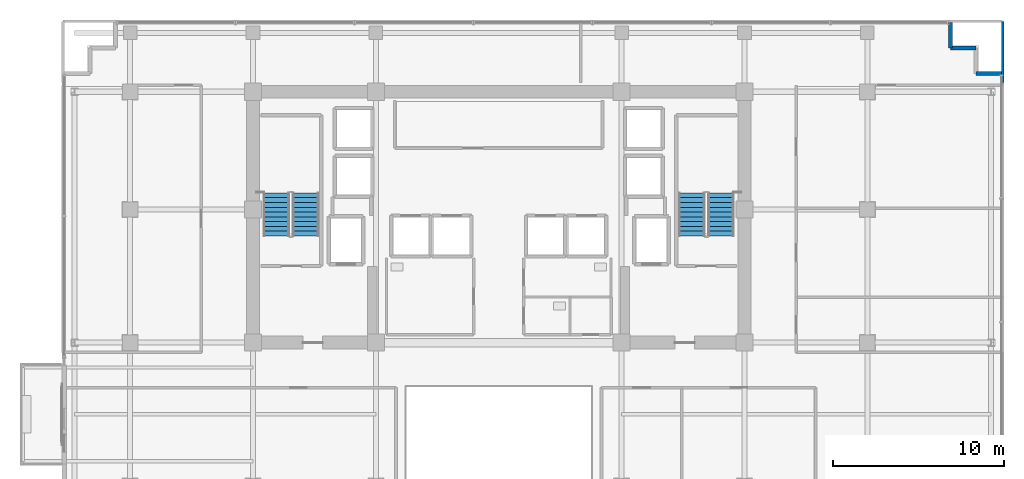
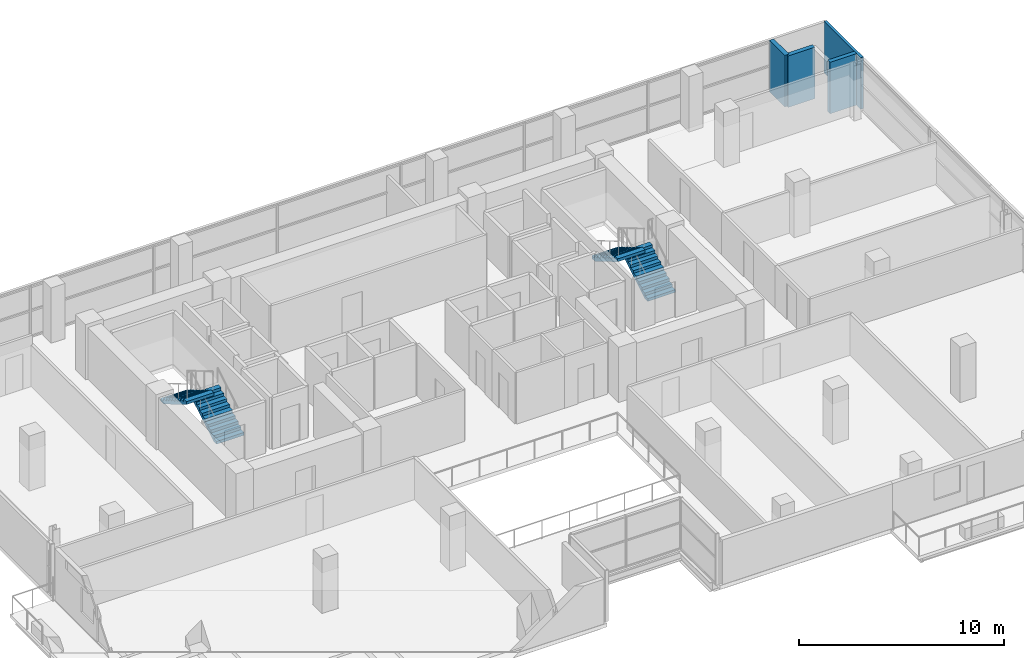
# One storey, part 18 of 23: 4 stair flights, 4 walls, 2 elements without a shape of their own.
"""IFC4 building model written with IfcOpenShell, lengths in metres."""

from ifc_helpers import new_model, si_unit, direction, frame, frame_2d, origin, place, context, subcontext, project, spatial, polyline, rectangle, outline, extrude, material, layer, layer_set, type_object, element, aggregate, save


model = new_model("IFC4")

# Units and contexts
model_context = context("Model", 3, precision=1e-05, world=origin(), true_north=direction((0.0, 1.0)))
body_context = subcontext(model_context, "Body", "Model", "MODEL_VIEW")
ifc_project = project(units=[si_unit("LENGTHUNIT", "METRE"), si_unit("AREAUNIT", "SQUARE_METRE"), si_unit("VOLUMEUNIT", "CUBIC_METRE"), si_unit("PLANEANGLEUNIT", "RADIAN"), si_unit("MASSUNIT", "GRAM", prefix="KILO")], contexts=[model_context])

# Site, building, storey
site_placement = place(None, origin())
site = spatial("IfcSite", under=ifc_project, at=site_placement, CompositionType="ELEMENT")
building_placement = place(site_placement, origin())
building = spatial("IfcBuilding", under=site, at=building_placement, Name="Zarnakvel Exchange Tower", CompositionType="ELEMENT")
storey_placement = place(building_placement, frame((0.0, 0.0, 123.10009765625)))
storey = spatial("IfcBuildingStorey", under=building, at=storey_placement, Name="L34", CompositionType="ELEMENT", Elevation=123.10009765625)

# Walls
ifc_material_1 = material(Name="Precast concrete C40/50", Category="concrete")
ifc_layer_1 = layer(ifc_material_1, 0.239990234375)
ifc_layer_set_1 = layer_set([ifc_layer_1], Name="Precast concrete C40/50")
wall_type_1 = type_object("IfcWallType", Name="EW-02", PredefinedType="SOLIDWALL", material=ifc_layer_set_1)
for number, where, z_axis, x_axis, name in (
    (1, (26.4599609375, 16.06005859375, 0.0), (0.0, 0.0, 1.0), (0.0, 1.0, 0.0), "L34 Exterior Precast Spandrel Wall EWC-L34-07 (EW-02)"),
    (2, (27.9599609375, 16.06005859375, 0.0), (0.0, 0.0, 1.0), (-1.0, 0.0, 0.0), "L34 Exterior Precast Spandrel Wall EWC-L34-08 (EW-02)"),
    (3, (29.4599609375, 14.56005859375, 0.0), (0.0, 0.0, 1.0), (-1.0, 0.0, 0.0), "L34 Exterior Precast Spandrel Wall EWC-L34-10 (EW-02)"),
):
    element("IfcWall", number, at=place(storey_placement, frame(where, z_axis=z_axis, x_axis=x_axis)), inside=storey, type_object=wall_type_1, Name=name, PredefinedType="SOLIDWALL", context=body_context, shape_type="SweptSolid", body=[
        extrude(rectangle(XDim=1.5, YDim=0.239990234375, at=frame_2d((0.75, 0.0))), origin(), (0.0, 0.0, 1.0), 3.074951171875),
    ])
ifc_material_2 = material(Name="Fire-Rated Gypsum Stud Partition", Category="gypsum")
ifc_layer_2 = layer(ifc_material_2, 0.14990234375)
ifc_layer_set_2 = layer_set([ifc_layer_2], Name="Fire-Rated Gypsum Stud Partition")
wall_type_2 = type_object("IfcWallType", Name="PT-01", PredefinedType="PARTITIONING", material=ifc_layer_set_2)
wall_placement = place(storey_placement, frame((29.530029296875, 17.6298828125, 0.0), z_axis=(0.0, 0.0, 1.0), x_axis=(0.0, -1.0, 0.0)))
element("IfcWall", 4, at=wall_placement, inside=storey, type_object=wall_type_2, Name="L34 Partition Wall PWALL-L34-055 (PT-01)", PredefinedType="PARTITIONING", context=body_context, shape_type="SweptSolid", body=[
    extrude(rectangle(XDim=3.599853515625, YDim=0.14990234375, at=frame_2d((1.7998046875, 0.0))), origin(), (0.0, 0.0, 1.0), 3.074951171875),
])

# Stair, stair flights
ifc_material_3 = material(Name="Concrete C40/50", Category="concrete")
stair_type = type_object("IfcStairType", Name="STR-01", PredefinedType="HALF_TURN_STAIR", material=ifc_material_3)
stair_1_placement = place(storey_placement, origin())
stair_1 = element("IfcStair", 5, at=stair_1_placement, inside=storey, type_object=stair_type, Name="L34 Protected Core Exit Stair ST-01", PredefinedType="HALF_TURN_STAIR")
stair_flight_type = type_object("IfcStairFlightType", Name="FLT-01", PredefinedType="STRAIGHT", material=ifc_material_3)
stair_flight_1_placement = place(storey_placement, frame((-11.31494140625, 5.050048828125, 0.0), z_axis=(0.0, 0.0, 1.0), x_axis=(0.0, 1.0, 0.0)))
stair_flight_1 = element("IfcStairFlight", 6, at=stair_flight_1_placement, type_object=stair_flight_type, Name="ST-01 flight 1", NumberOfRisers=10, NumberOfTreads=9, PredefinedType="STRAIGHT", RiserHeight=0.165, TreadLength=0.28, context=body_context, shape_type="SweptSolid", body=[
    extrude(outline(polyline([(0.0, 0.0), (0.0, 0.1650390625), (0.280029296875, 0.1650390625), (0.280029296875, 0.330078125), (0.56005859375, 0.330078125), (0.56005859375, 0.4951171875), (0.840087890625, 0.4951171875), (0.840087890625, 0.659912109375), (1.1201171875, 0.659912109375), (1.1201171875, 0.824951171875), (1.39990234375, 0.824951171875), (1.39990234375, 0.989990234375), (1.679931640625, 0.989990234375), (1.679931640625, 1.155029296875), (1.9599609375, 1.155029296875), (1.9599609375, 1.320068359375), (2.239990234375, 1.320068359375), (2.239990234375, 1.485107421875), (2.52001953125, 1.485107421875), (2.52001953125, 1.64990234375), (2.52001953125, 1.31103515625), (0.295166015625, 0.0), (0.0, 0.0)])), frame((0.0, 0.77490234375, 0.0), z_axis=(0.0, -1.0, 0.0), x_axis=(1.0, 0.0, 0.0)), (0.0, 0.0, 1.0), 1.550048828125),
])
stair_flight_2_placement = place(storey_placement, frame((-13.02490234375, 7.570068359375, 1.64990234375), z_axis=(0.0, 0.0, 1.0), x_axis=(0.0, -1.0, 0.0)))
stair_flight_2 = element("IfcStairFlight", 7, at=stair_flight_2_placement, type_object=stair_flight_type, Name="ST-01 flight 2", NumberOfRisers=10, NumberOfTreads=9, PredefinedType="STRAIGHT", RiserHeight=0.165, TreadLength=0.28, context=body_context, shape_type="SweptSolid", body=[
    extrude(outline(polyline([(0.0, 0.0), (0.0, 0.1650390625), (0.280029296875, 0.1650390625), (0.280029296875, 0.330078125), (0.56005859375, 0.330078125), (0.56005859375, 0.4951171875), (0.840087890625, 0.4951171875), (0.840087890625, 0.659912109375), (1.1201171875, 0.659912109375), (1.1201171875, 0.824951171875), (1.39990234375, 0.824951171875), (1.39990234375, 0.989990234375), (1.679931640625, 0.989990234375), (1.679931640625, 1.155029296875), (1.9599609375, 1.155029296875), (1.9599609375, 1.320068359375), (2.239990234375, 1.320068359375), (2.239990234375, 1.485107421875), (2.52001953125, 1.485107421875), (2.52001953125, 1.64990234375), (2.52001953125, 1.31103515625), (0.295166015625, 0.0), (0.0, 0.0)])), frame((0.0, 0.77490234375, 0.0), z_axis=(0.0, -1.0, 0.0), x_axis=(1.0, 0.0, 0.0)), (0.0, 0.0, 1.0), 1.550048828125),
])
aggregate(stair_1, [stair_flight_1, stair_flight_2])

stair_2_placement = place(storey_placement, origin())
stair_2 = element("IfcStair", 8, at=stair_2_placement, inside=storey, type_object=stair_type, Name="L34 Protected Core Exit Stair ST-02", PredefinedType="HALF_TURN_STAIR")
stair_flight_3_placement = place(storey_placement, frame((13.02490234375, 5.050048828125, 0.0), z_axis=(0.0, 0.0, 1.0), x_axis=(0.0, 1.0, 0.0)))
stair_flight_3 = element("IfcStairFlight", 9, at=stair_flight_3_placement, type_object=stair_flight_type, Name="ST-02 flight 1", NumberOfRisers=10, NumberOfTreads=9, PredefinedType="STRAIGHT", RiserHeight=0.165, TreadLength=0.28, context=body_context, shape_type="SweptSolid", body=[
    extrude(outline(polyline([(0.0, 0.0), (0.0, 0.1650390625), (0.280029296875, 0.1650390625), (0.280029296875, 0.330078125), (0.56005859375, 0.330078125), (0.56005859375, 0.4951171875), (0.840087890625, 0.4951171875), (0.840087890625, 0.659912109375), (1.1201171875, 0.659912109375), (1.1201171875, 0.824951171875), (1.39990234375, 0.824951171875), (1.39990234375, 0.989990234375), (1.679931640625, 0.989990234375), (1.679931640625, 1.155029296875), (1.9599609375, 1.155029296875), (1.9599609375, 1.320068359375), (2.239990234375, 1.320068359375), (2.239990234375, 1.485107421875), (2.52001953125, 1.485107421875), (2.52001953125, 1.64990234375), (2.52001953125, 1.31103515625), (0.295166015625, 0.0), (0.0, 0.0)])), frame((0.0, 0.77490234375, 0.0), z_axis=(0.0, -1.0, 0.0), x_axis=(1.0, 0.0, 0.0)), (0.0, 0.0, 1.0), 1.550048828125),
])
stair_flight_4_placement = place(storey_placement, frame((11.31494140625, 7.570068359375, 1.64990234375), z_axis=(0.0, 0.0, 1.0), x_axis=(0.0, -1.0, 0.0)))
stair_flight_4 = element("IfcStairFlight", 10, at=stair_flight_4_placement, type_object=stair_flight_type, Name="ST-02 flight 2", NumberOfRisers=10, NumberOfTreads=9, PredefinedType="STRAIGHT", RiserHeight=0.165, TreadLength=0.28, context=body_context, shape_type="SweptSolid", body=[
    extrude(outline(polyline([(0.0, 0.0), (0.0, 0.1650390625), (0.280029296875, 0.1650390625), (0.280029296875, 0.330078125), (0.56005859375, 0.330078125), (0.56005859375, 0.4951171875), (0.840087890625, 0.4951171875), (0.840087890625, 0.659912109375), (1.1201171875, 0.659912109375), (1.1201171875, 0.824951171875), (1.39990234375, 0.824951171875), (1.39990234375, 0.989990234375), (1.679931640625, 0.989990234375), (1.679931640625, 1.155029296875), (1.9599609375, 1.155029296875), (1.9599609375, 1.320068359375), (2.239990234375, 1.320068359375), (2.239990234375, 1.485107421875), (2.52001953125, 1.485107421875), (2.52001953125, 1.64990234375), (2.52001953125, 1.31103515625), (0.295166015625, 0.0), (0.0, 0.0)])), frame((0.0, 0.77490234375, 0.0), z_axis=(0.0, -1.0, 0.0), x_axis=(1.0, 0.0, 0.0)), (0.0, 0.0, 1.0), 1.550048828125),
])
aggregate(stair_2, [stair_flight_3, stair_flight_4])

save(model, "model.ifc")
